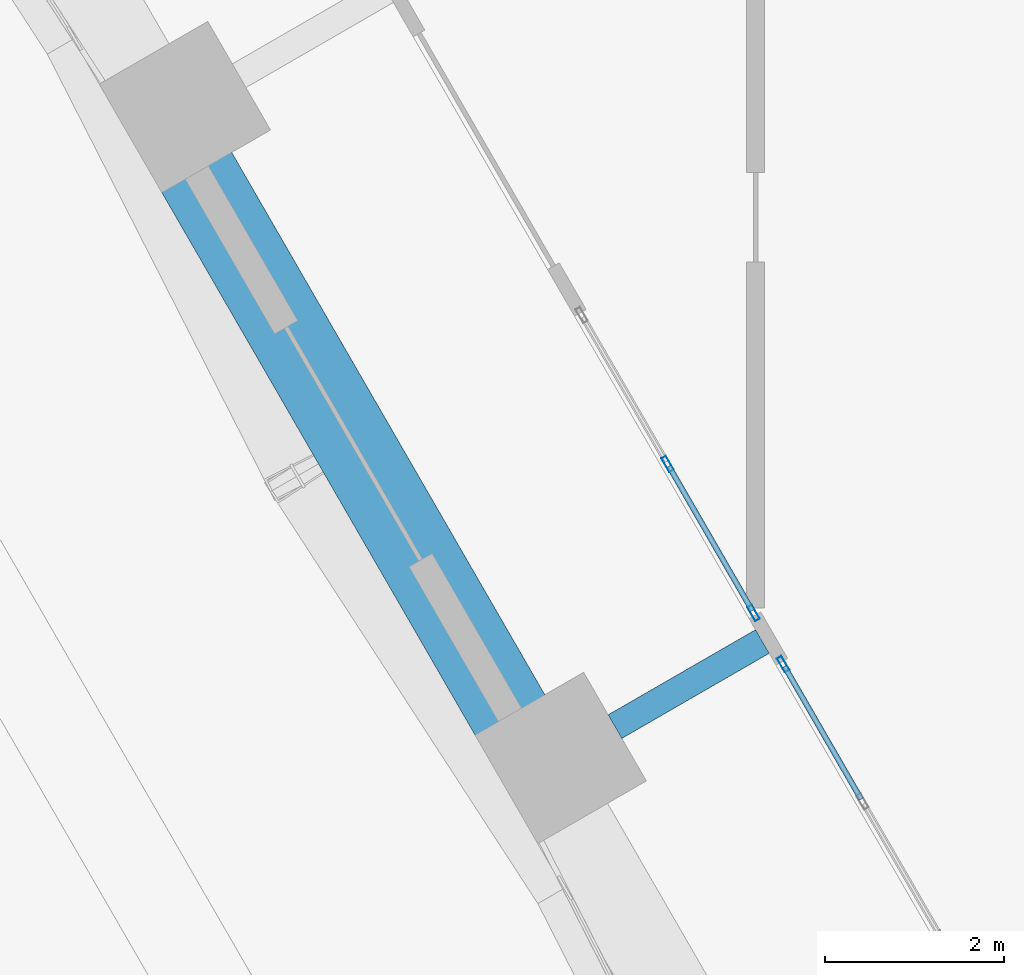
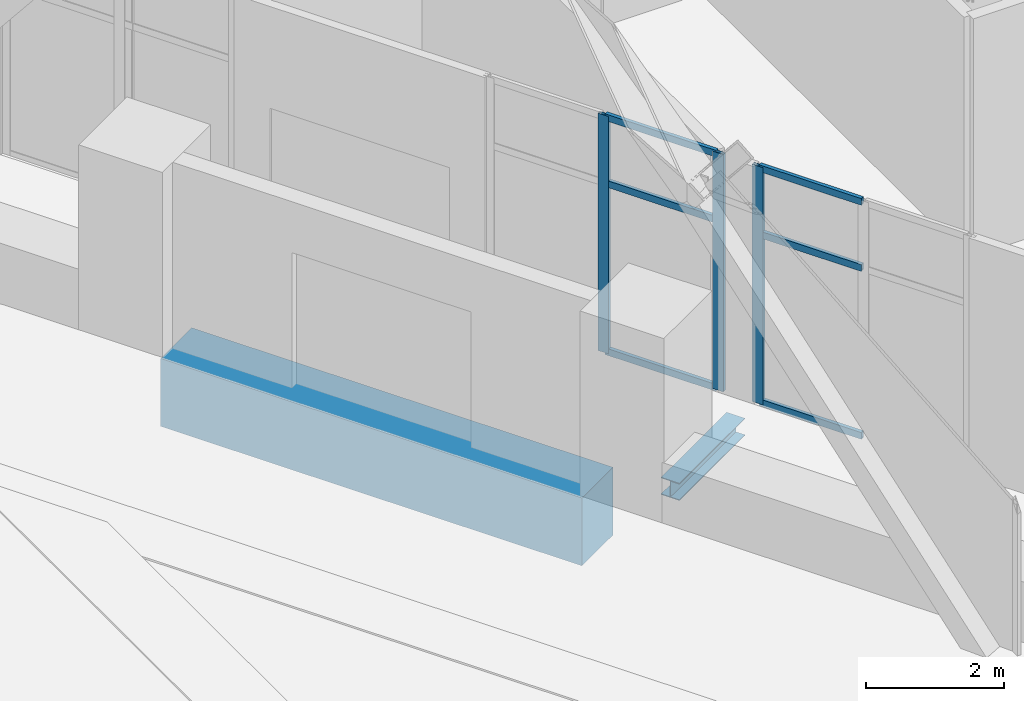
# One storey, part 17 of 71: 9 members, 2 beams, 2 elements without a shape of their own.
"""IFC4 building model written with IfcOpenShell, lengths in metres."""

import ifcopenshell
import ifcopenshell.guid

model = None  # the IFC model being written
_history = None  # IfcOwnerHistory: only IFC2X3 demands one
_inside = {}  # id of a spatial element -> (the spatial element, [elements in it])
_under = {}  # id of a project, library or spatial element -> (it, [spatial elements below it])
_declared = {}  # id of a project -> (the project, [libraries it declares])
_typed = {}  # id of a type object -> (the type object, [elements of that type])
_made_of = {}  # id of a material, layer set ... -> (it, [elements and type objects made of it])


def new_model(schema):
    """Start an empty IFC model of exactly this schema.

    Asked for "IFC4X3", IfcOpenShell would pick the latest addendum, in which some entities
    have other attributes; the version numbers below select the first issue.
    IFC2X3 requires an IfcOwnerHistory on every rooted entity: one is made here for all.
    """
    global model, _history
    if schema == "IFC4X3":
        model = ifcopenshell.file(schema_version=(4, 3, 0, 0))
    else:
        model = ifcopenshell.file(schema=schema)
    _inside.clear()
    _under.clear()
    _declared.clear()
    _typed.clear()
    _made_of.clear()
    _history = None
    if model.schema == "IFC2X3":
        org = make("IfcOrganization", Name="unknown")
        user = make(
            "IfcPersonAndOrganization",
            ThePerson=make("IfcPerson", FamilyName="unknown"),
            TheOrganization=org,
        )
        app = make(
            "IfcApplication",
            ApplicationDeveloper=org,
            Version="unknown",
            ApplicationFullName="unknown",
            ApplicationIdentifier="unknown",
        )
        _history = make(
            "IfcOwnerHistory",
            OwningUser=user,
            OwningApplication=app,
            ChangeAction="ADDED",
            CreationDate=0,
        )
    return model


def make(cls, **values):
    """One entity of the class cls with the attributes given. An attribute that is None is left unset."""
    return model.create_entity(
        cls, **{name: value for name, value in values.items() if value is not None}
    )


def rooted(cls, **values):
    """An entity with a GlobalId (a new one), such as an element, a storey or a relation."""
    return make(cls, GlobalId=ifcopenshell.guid.new(), OwnerHistory=_history, **values)


def si_unit(unit_type, name, prefix=None):
    """IfcSIUnit, for example si_unit("LENGTHUNIT", "METRE", prefix="MILLI")."""
    return make("IfcSIUnit", UnitType=unit_type, Prefix=prefix, Name=name)


def assignment(units):
    """IfcUnitAssignment: the units of a project."""
    return None if units is None else make("IfcUnitAssignment", Units=units)


def point(xyz):
    """IfcCartesianPoint."""
    return None if xyz is None else make("IfcCartesianPoint", Coordinates=xyz)


def direction(xyz):
    """IfcDirection."""
    return None if xyz is None else make("IfcDirection", DirectionRatios=xyz)


def frame(location, z_axis=None, x_axis=None):
    """IfcAxis2Placement3D, a coordinate frame: its origin and axes. An axis left out is left unset."""
    return make(
        "IfcAxis2Placement3D",
        Location=point(location),
        Axis=direction(z_axis),
        RefDirection=direction(x_axis),
    )


def frame_2d(location, x_axis=None):
    """IfcAxis2Placement2D, a coordinate frame in the plane: its origin and x axis."""
    return make(
        "IfcAxis2Placement2D", Location=point(location), RefDirection=direction(x_axis)
    )


def origin():
    """The frame at (0, 0, 0) with its axes left unset."""
    return frame((0.0, 0.0, 0.0))


def origin_2d():
    """The frame at (0, 0) in the plane with its x axis left unset."""
    return frame_2d((0.0, 0.0))


def place(relative_to, where):
    """IfcLocalPlacement: puts the frame where relative to a parent placement (None: the world)."""
    return make(
        "IfcLocalPlacement", PlacementRelTo=relative_to, RelativePlacement=where
    )


def context(
    kind, dimensions, precision=None, world=None, true_north=None, identifier=None
):
    """IfcGeometricRepresentationContext, for example the 3D "Model" context."""
    return make(
        "IfcGeometricRepresentationContext",
        ContextIdentifier=identifier,
        ContextType=kind,
        CoordinateSpaceDimension=dimensions,
        Precision=precision,
        WorldCoordinateSystem=world,
        TrueNorth=true_north,
    )


def subcontext(parent, identifier, kind, view, scale=None):
    """IfcGeometricRepresentationSubContext, for example "Body" below "Model"."""
    return make(
        "IfcGeometricRepresentationSubContext",
        ContextIdentifier=identifier,
        ContextType=kind,
        ParentContext=parent,
        TargetScale=scale,
        TargetView=view,
    )


def project(units=None, contexts=None):
    """IfcProject with its units and contexts."""
    return rooted(
        "IfcProject",
        Name="project",
        RepresentationContexts=contexts,
        UnitsInContext=assignment(units),
    )


def spatial(cls, under=None, at=None, **own):
    """A site, building, storey or space (cls), placed at a placement, below another one or the project."""
    s = rooted(cls, ObjectPlacement=at, **own)
    if under is not None:
        _under.setdefault(under.id(), (under, []))[1].append(s)
    return s


def profile(cls, at=None, kind="AREA", **sizes):
    """A parametric profile (cls). Its sizes go by their IFC names, for example OverallWidth=200.0."""
    return make(cls, ProfileType=kind, Position=at, **sizes)


def rectangle(**sizes):
    """IfcRectangleProfileDef."""
    return profile("IfcRectangleProfileDef", **sizes)


def hollow_rectangle(**sizes):
    """IfcRectangleHollowProfileDef."""
    return profile("IfcRectangleHollowProfileDef", **sizes)


def i_section(**sizes):
    """IfcIShapeProfileDef."""
    return profile("IfcIShapeProfileDef", **sizes)


def extrude(swept, where, along, depth):
    """IfcExtrudedAreaSolid: the profile swept, set in the frame where, extruded along a direction by depth."""
    return make(
        "IfcExtrudedAreaSolid",
        SweptArea=swept,
        Position=where,
        ExtrudedDirection=direction(along),
        Depth=depth,
    )


def shape(context_of_items, identifier, shape_type, items):
    """IfcShapeRepresentation: the items that make up one representation, for example the "Body"."""
    return make(
        "IfcShapeRepresentation",
        ContextOfItems=context_of_items,
        RepresentationIdentifier=identifier,
        RepresentationType=shape_type,
        Items=items,
    )


def material(Name=None, Category=None):
    """IfcMaterial."""
    return make("IfcMaterial", Name=Name, Category=Category)


def material_profile(
    of_material, cross_section, Name=None, Category=None, Priority=None
):
    """IfcMaterialProfile: a cross section and its material."""
    return make(
        "IfcMaterialProfile",
        Name=Name,
        Material=of_material,
        Profile=cross_section,
        Priority=Priority,
        Category=Category,
    )


def profile_set(profiles, Name=None, composite=None):
    """IfcMaterialProfileSet."""
    return make(
        "IfcMaterialProfileSet",
        Name=Name,
        MaterialProfiles=profiles,
        CompositeProfile=composite,
    )


def made_of(thing, what):
    """Note that an element or type object is made of a material, layer set ...; save() writes the relation."""
    if what is not None:
        _made_of.setdefault(what.id(), (what, []))[1].append(thing)
    return thing


def type_object(cls, material=None, **own):
    """A type object (cls), such as IfcWallType, which elements share."""
    return made_of(rooted(cls, **own), material)


def element(
    cls,
    number,
    at=None,
    inside=None,
    cuts=None,
    type_object=None,
    material=None,
    context=None,
    identifier="Body",
    shape_type=None,
    held_by="IfcProductDefinitionShape",
    body=None,
    shapes=None,
    **own,
):
    """One element of the class cls, such as IfcWall. Its Tag is "e" and its number.

    at: its placement. inside: the storey or other place that contains it. cuts: it is an
    opening in that element (IfcRelVoidsElement). A single representation is given by context,
    identifier, shape_type and body (its items); several are given by shapes. held_by: the class
    of the entity that holds the representations. save() writes the other relations.
    """
    e = rooted(cls, Tag="e%d" % number, ObjectPlacement=at, **own)
    if body is not None:
        shapes = [shape(context, identifier, shape_type, body)]
    if shapes is not None:
        e.Representation = make(held_by, Representations=shapes)
    if inside is not None:
        _inside.setdefault(inside.id(), (inside, []))[1].append(e)
    if cuts is not None:
        rooted(
            "IfcRelVoidsElement", RelatingBuildingElement=cuts, RelatedOpeningElement=e
        )
    if type_object is not None:
        _typed.setdefault(type_object.id(), (type_object, []))[1].append(e)
    return made_of(e, material)


def aggregate(whole, parts):
    """IfcRelAggregates: a whole, such as a stair, and the parts it consists of."""
    return rooted("IfcRelAggregates", RelatingObject=whole, RelatedObjects=parts)


def save(model, path):
    """Write the relations noted so far, then the file.

    IfcRelAggregates (storeys below a building ...), IfcRelContainedInSpatialStructure (elements
    in a storey), IfcRelDefinesByType, IfcRelAssociatesMaterial and IfcRelDeclares: one each for
    every whole, place, type object, material and project.
    """
    for whole, parts in _under.values():
        aggregate(whole, parts)
    for where, things in _inside.values():
        rooted(
            "IfcRelContainedInSpatialStructure",
            RelatedElements=things,
            RelatingStructure=where,
        )
    for kind, things in _typed.values():
        rooted("IfcRelDefinesByType", RelatedObjects=things, RelatingType=kind)
    for what, things in _made_of.values():
        rooted("IfcRelAssociatesMaterial", RelatedObjects=things, RelatingMaterial=what)
    for by, libraries in _declared.values():
        rooted("IfcRelDeclares", RelatingContext=by, RelatedDefinitions=libraries)
    model.write(path)


model = new_model("IFC4")

# Units and contexts
model_context = context("Model", 3, precision=1e-05, world=origin(), true_north=direction((0.0, 1.0)))
body_context = subcontext(model_context, "Body", "Model", "MODEL_VIEW")
ifc_project = project(units=[si_unit("LENGTHUNIT", "METRE"), si_unit("AREAUNIT", "SQUARE_METRE"), si_unit("VOLUMEUNIT", "CUBIC_METRE"), si_unit("PLANEANGLEUNIT", "RADIAN"), si_unit("MASSUNIT", "GRAM", prefix="KILO")], contexts=[model_context])

# Site, building, storey
site_placement = place(None, origin())
site = spatial("IfcSite", under=ifc_project, at=site_placement, CompositionType="ELEMENT")
building_placement = place(site_placement, origin())
building = spatial("IfcBuilding", under=site, at=building_placement, Name="Ostrander Bayou Hotel Tower", CompositionType="ELEMENT")
storey_placement = place(building_placement, frame((0.0, 0.0, 10.0)))
storey = spatial("IfcBuildingStorey", under=building, at=storey_placement, Name="L02", CompositionType="ELEMENT", Elevation=10.0)

# Curtain wall, members
ifc_material_1 = material(Name="Aluminium and clear glass", Category="aluminium")
curtain_wall_type = type_object("IfcCurtainWallType", Name="CW-SKY amenity glass wall", PredefinedType="NOTDEFINED", material=ifc_material_1)
curtain_wall_1_placement = place(storey_placement, origin())
curtain_wall_1 = element("IfcCurtainWall", 1, at=curtain_wall_1_placement, inside=storey, type_object=curtain_wall_type, Name="CW-SKY L02 SW 3", PredefinedType="NOTDEFINED")
ifc_material_2 = material(Name="Aluminium", Category="aluminium")
ifc_material_profile_1 = material_profile(ifc_material_2, hollow_rectangle(XDim=0.06005859375, YDim=0.179931640625, WallThickness=0.00390625, at=origin_2d()))
ifc_profile_set_1 = profile_set([ifc_material_profile_1], Name="Aluminium")
member_type_1 = type_object("IfcMemberType", Name="CW-SK mullion 60 x 180 mm", PredefinedType="MULLION", material=ifc_profile_set_1)
member_1_placement = place(storey_placement, frame((-14.9814453125, -10.9013671875, 0.0), z_axis=(0.0, 0.0, 1.0), x_axis=(0.866025463091, 0.499999897278, 0.0)))
member_1 = element("IfcMember", 2, at=member_1_placement, type_object=member_type_1, Name="CW-SKY mullion 2", PredefinedType="MULLION", context=body_context, shape_type="SweptSolid", body=[
    extrude(hollow_rectangle(XDim=0.06005859375, YDim=0.179931640625, WallThickness=0.00390625, at=origin_2d()), origin(), (0.0, 0.0, 1.0), 4.199951171875),
])
member_2_placement = place(storey_placement, frame((-14.021484375, -12.56396484375, 0.0), z_axis=(0.0, 0.0, 1.0), x_axis=(0.866025463091, 0.499999897278, 0.0)))
member_2 = element("IfcMember", 3, at=member_2_placement, type_object=member_type_1, Name="CW-SKY mullion 3", PredefinedType="MULLION", context=body_context, shape_type="SweptSolid", body=[
    extrude(hollow_rectangle(XDim=0.06005859375, YDim=0.179931640625, WallThickness=0.00390625, at=origin_2d()), origin(), (0.0, 0.0, 1.0), 4.199951171875),
])

# Curtain wall, member
curtain_wall_2_placement = place(storey_placement, origin())
curtain_wall_2 = element("IfcCurtainWall", 4, at=curtain_wall_2_placement, inside=storey, type_object=curtain_wall_type, Name="CW-SKY L02 SW 4", PredefinedType="NOTDEFINED")
member_3_placement = place(storey_placement, frame((-13.69140625, -13.135498046875, 0.0), z_axis=(0.0, 0.0, 1.0), x_axis=(0.866025997283, 0.499998972029, 0.0)))
member_3 = element("IfcMember", 5, at=member_3_placement, type_object=member_type_1, Name="CW-SKY mullion 1", PredefinedType="MULLION", context=body_context, shape_type="SweptSolid", body=[
    extrude(hollow_rectangle(XDim=0.06005859375, YDim=0.179931640625, WallThickness=0.00390625, at=origin_2d()), origin(), (0.0, 0.0, 1.0), 4.199951171875),
])

# Member
ifc_material_3 = material(Name="Aluminium", Category="aluminium")
ifc_material_profile_2 = material_profile(ifc_material_3, hollow_rectangle(XDim=0.06005859375, YDim=0.1201171875, WallThickness=0.00390625, at=origin_2d()))
ifc_profile_set_2 = profile_set([ifc_material_profile_2], Name="Aluminium")
member_type_2 = type_object("IfcMemberType", Name="CW-SK transom 60 x 120 mm", PredefinedType="USERDEFINED", material=ifc_profile_set_2)
member_4_placement = place(storey_placement, frame((-14.966552734375, -10.92724609375, 0.030029296875), z_axis=(0.499964847546, -0.866045698112, 0.0), x_axis=(0.866045698112, 0.499964847546, 0.0)))
member_4 = element("IfcMember", 6, at=member_4_placement, type_object=member_type_2, Name="CW-SKY transom 2.1", ObjectType="TRANSOM", PredefinedType="USERDEFINED", context=body_context, shape_type="SweptSolid", body=[
    extrude(hollow_rectangle(XDim=0.06005859375, YDim=0.1201171875, WallThickness=0.00390625, at=origin_2d()), origin(), (0.0, 0.0, 1.0), 1.860107421875),
])

member_5_placement = place(storey_placement, frame((-14.966552734375, -10.92724609375, 3.0), z_axis=(0.499964847546, -0.866045698112, 0.0), x_axis=(0.866045698112, 0.499964847546, 0.0)))
member_5 = element("IfcMember", 7, at=member_5_placement, type_object=member_type_2, Name="CW-SKY transom 2.2", ObjectType="TRANSOM", PredefinedType="USERDEFINED", context=body_context, shape_type="SweptSolid", body=[
    extrude(hollow_rectangle(XDim=0.06005859375, YDim=0.1201171875, WallThickness=0.00390625, at=origin_2d()), origin(), (0.0, 0.0, 1.0), 1.860107421875),
])

member_6_placement = place(storey_placement, frame((-14.966552734375, -10.92724609375, 4.169921875), z_axis=(0.499964847546, -0.866045698112, 0.0), x_axis=(0.866045698112, 0.499964847546, 0.0)))
member_6 = element("IfcMember", 8, at=member_6_placement, type_object=member_type_2, Name="CW-SKY transom 2.3", ObjectType="TRANSOM", PredefinedType="USERDEFINED", context=body_context, shape_type="SweptSolid", body=[
    extrude(hollow_rectangle(XDim=0.06005859375, YDim=0.1201171875, WallThickness=0.00390625, at=origin_2d()), origin(), (0.0, 0.0, 1.0), 1.860107421875),
])

aggregate(curtain_wall_1, [member_1, member_2, member_4, member_5, member_6])

member_7_placement = place(storey_placement, frame((-13.676513671875, -13.16162109375, 0.030029296875), z_axis=(0.499977863513, -0.866038183914, 0.0), x_axis=(0.866038183914, 0.499977863513, 0.0)))
member_7 = element("IfcMember", 9, at=member_7_placement, type_object=member_type_2, Name="CW-SKY transom 1.1", ObjectType="TRANSOM", PredefinedType="USERDEFINED", context=body_context, shape_type="SweptSolid", body=[
    extrude(hollow_rectangle(XDim=0.06005859375, YDim=0.1201171875, WallThickness=0.00390625, at=origin_2d()), origin(), (0.0, 0.0, 1.0), 1.7099609375),
])

member_8_placement = place(storey_placement, frame((-13.676513671875, -13.16162109375, 3.0), z_axis=(0.499977863513, -0.866038183914, 0.0), x_axis=(0.866038183914, 0.499977863513, 0.0)))
member_8 = element("IfcMember", 10, at=member_8_placement, type_object=member_type_2, Name="CW-SKY transom 1.2", ObjectType="TRANSOM", PredefinedType="USERDEFINED", context=body_context, shape_type="SweptSolid", body=[
    extrude(hollow_rectangle(XDim=0.06005859375, YDim=0.1201171875, WallThickness=0.00390625, at=origin_2d()), origin(), (0.0, 0.0, 1.0), 1.7099609375),
])

member_9_placement = place(storey_placement, frame((-13.676513671875, -13.16162109375, 4.169921875), z_axis=(0.499977863513, -0.866038183914, 0.0), x_axis=(0.866038183914, 0.499977863513, 0.0)))
member_9 = element("IfcMember", 11, at=member_9_placement, type_object=member_type_2, Name="CW-SKY transom 1.3", ObjectType="TRANSOM", PredefinedType="USERDEFINED", context=body_context, shape_type="SweptSolid", body=[
    extrude(hollow_rectangle(XDim=0.06005859375, YDim=0.1201171875, WallThickness=0.00390625, at=origin_2d()), origin(), (0.0, 0.0, 1.0), 1.7099609375),
])

aggregate(curtain_wall_2, [member_3, member_7, member_8, member_9])

# Beams
ifc_material_4 = material(Name="Steel ASTM A992", Category="steel")
ifc_material_profile_3 = material_profile(ifc_material_4, i_section(OverallWidth=0.3046875, OverallDepth=0.307861328125, WebThickness=0.010009765625, FlangeThickness=0.015380859375, at=origin_2d()))
ifc_profile_set_3 = profile_set([ifc_material_profile_3], Name="Steel ASTM A992")
beam_type_1 = type_object("IfcBeamType", Name="LB1 loggia bracket W12x65", PredefinedType="BEAM", material=ifc_profile_set_3)
beam_1_placement = place(storey_placement, frame((-15.569091796875, -13.833251953125, -0.453857421875), z_axis=(0.86601224135, 0.500022797313, 0.0), x_axis=(-0.500022797313, 0.86601224135, 0.0)))
element("IfcBeam", 12, at=beam_1_placement, inside=storey, type_object=beam_type_1, Name="LB1 L02 SW2", PredefinedType="BEAM", context=body_context, shape_type="SweptSolid", body=[
    extrude(i_section(OverallWidth=0.3046875, OverallDepth=0.307861328125, WebThickness=0.010009765625, FlangeThickness=0.015380859375, at=origin_2d()), origin(), (0.0, 0.0, 1.0), 1.89990234375),
])
ifc_material_5 = material(Name="Concrete f'c 70 MPa", Category="concrete")
ifc_material_profile_4 = material_profile(ifc_material_5, rectangle(XDim=0.89990234375, YDim=1.199951171875, at=origin_2d()))
ifc_profile_set_4 = profile_set([ifc_material_profile_4], Name="Concrete f'c 70 MPa")
beam_type_2 = type_object("IfcBeamType", Name="SP1 spandrel beam 900 x 1200 mm f'c 70 MPa", PredefinedType="SPANDREL", material=ifc_profile_set_4)
beam_2_placement = place(storey_placement, frame((-20.252197265625, -7.621826171875, -0.60009765625), z_axis=(0.499997206141, -0.866027016814, 0.0), x_axis=(0.866027016814, 0.499997206141, 0.0)))
element("IfcBeam", 13, at=beam_2_placement, inside=storey, type_object=beam_type_2, Name="SP1 L02 SW-2", PredefinedType="SPANDREL", context=body_context, shape_type="SweptSolid", body=[
    extrude(rectangle(XDim=0.89990234375, YDim=1.199951171875, at=origin_2d()), origin(), (0.0, 0.0, 1.0), 7.05078125),
])

save(model, "model.ifc")
